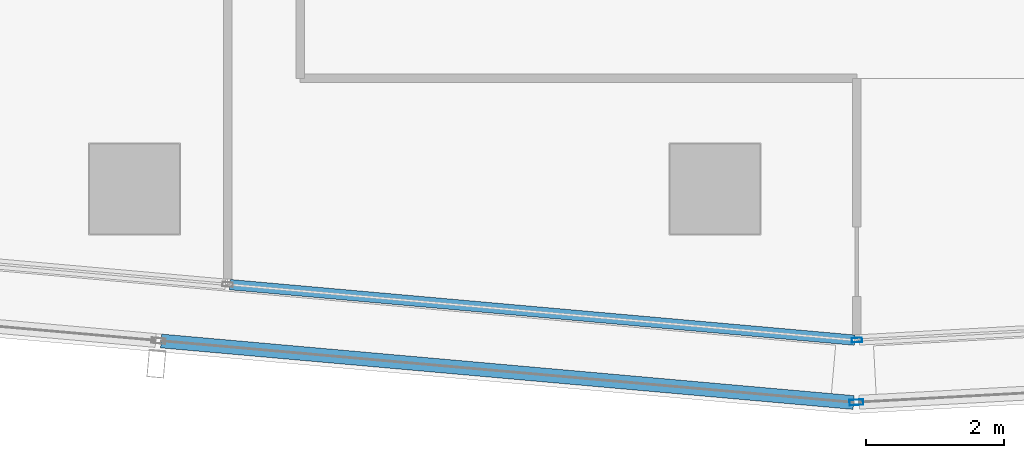
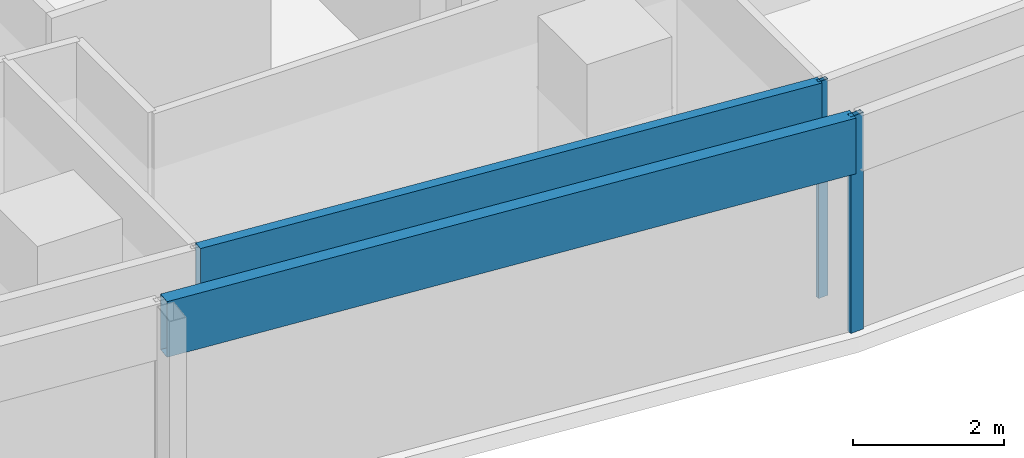
# One storey, part 5 of 29: 4 members, 4 elements without a shape of their own.
"""IFC4 building model written with IfcOpenShell, lengths in metres."""

from ifc_helpers import new_model, si_unit, direction, frame, origin, origin_2d, place, context, subcontext, project, spatial, hollow_rectangle, extrude, material, material_profile, profile_set, type_object, element, aggregate, save


model = new_model("IFC4")

# Units and contexts
model_context = context("Model", 3, precision=1e-05, world=origin(), true_north=direction((0.0, 1.0)))
body_context = subcontext(model_context, "Body", "Model", "MODEL_VIEW")
ifc_project = project(units=[si_unit("LENGTHUNIT", "METRE"), si_unit("AREAUNIT", "SQUARE_METRE"), si_unit("VOLUMEUNIT", "CUBIC_METRE"), si_unit("PLANEANGLEUNIT", "RADIAN"), si_unit("MASSUNIT", "GRAM", prefix="KILO")], contexts=[model_context])

# Site, building, storey
site_placement = place(None, origin())
site = spatial("IfcSite", under=ifc_project, at=site_placement, CompositionType="ELEMENT")
building_placement = place(site_placement, origin())
building = spatial("IfcBuilding", under=site, at=building_placement, Name="Rekha Terrace Tower", CompositionType="ELEMENT")
storey_placement = place(building_placement, frame((0.0, 0.0, 261.35009765625)))
storey = spatial("IfcBuildingStorey", under=building, at=storey_placement, Name="L66", CompositionType="ELEMENT", Elevation=261.35009765625)

# Curtain wall, member
ifc_material_1 = material(Name="Aluminium framing", Category="aluminium")
curtain_wall_type_1 = type_object("IfcCurtainWallType", Name="CW1 double skin inner glazing", PredefinedType="USERDEFINED", material=ifc_material_1)
curtain_wall_1_placement = place(storey_placement, origin())
curtain_wall_1 = element("IfcCurtainWall", 1, at=curtain_wall_1_placement, inside=storey, type_object=curtain_wall_type_1, Name="CW1 double skin inner glazing", ObjectType="DOUBLE SKIN INNER GLAZING", PredefinedType="USERDEFINED")
ifc_material_2 = material(Name="Aluminium mullion section", Category="aluminium")
ifc_material_profile_1 = material_profile(ifc_material_2, hollow_rectangle(XDim=0.06494140625, YDim=0.14990234375, WallThickness=0.00390625, at=origin_2d()), Name="AL RHS 65x150")
ifc_profile_set_1 = profile_set([ifc_material_profile_1], Name="Aluminium mullion section")
member_type_1 = type_object("IfcMemberType", Name="CW1 mullion RHS 65 x 150", PredefinedType="MULLION", material=ifc_profile_set_1)
member_1_placement = place(storey_placement, frame((27.254638671875, 14.6142578125, 0.0), z_axis=(0.0, 0.0, 1.0), x_axis=(-0.054388903036, 0.998519828159, 0.0)))
member_1 = element("IfcMember", 2, at=member_1_placement, type_object=member_type_1, Name="CW1 mullion 1", PredefinedType="MULLION", context=body_context, shape_type="SweptSolid", body=[
    extrude(hollow_rectangle(XDim=0.06494140625, YDim=0.14990234375, WallThickness=0.00390625, at=origin_2d()), origin(), (0.0, 0.0, 1.0), 3.5),
])
aggregate(curtain_wall_1, [member_1])

curtain_wall_2_placement = place(storey_placement, origin())
curtain_wall_2 = element("IfcCurtainWall", 3, at=curtain_wall_2_placement, inside=storey, type_object=curtain_wall_type_1, Name="CW1 double skin inner glazing", ObjectType="DOUBLE SKIN INNER GLAZING", PredefinedType="USERDEFINED")
ifc_material_3 = material(Name="Insulated aluminium spandrel box", Category="aluminium")
ifc_material_profile_2 = material_profile(ifc_material_3, hollow_rectangle(XDim=0.14990234375, YDim=0.89990234375, WallThickness=0.0029296875, at=origin_2d()), Name="AL SPANDREL BOX 150x900")
ifc_profile_set_2 = profile_set([ifc_material_profile_2], Name="Insulated aluminium spandrel box")
member_type_2 = type_object("IfcMemberType", Name="CW1 spandrel transom 150 x 900", PredefinedType="USERDEFINED", material=ifc_profile_set_2)
member_2_placement = place(storey_placement, frame((18.181884765625, 15.416015625, 3.0498046875), z_axis=(0.996073747712, -0.088527335432, 0.0), x_axis=(0.088527335432, 0.996073747712, 0.0)))
member_2 = element("IfcMember", 4, at=member_2_placement, type_object=member_type_2, Name="CW1 spandrel transom 2", ObjectType="TRANSOM", PredefinedType="USERDEFINED", context=body_context, shape_type="SweptSolid", body=[
    extrude(hollow_rectangle(XDim=0.14990234375, YDim=0.89990234375, WallThickness=0.0029296875, at=origin_2d()), origin(), (0.0, 0.0, 1.0), 9.075927734375),
])
aggregate(curtain_wall_2, [member_2])

curtain_wall_type_2 = type_object("IfcCurtainWallType", Name="CW2 double skin outer glazing", PredefinedType="USERDEFINED", material=ifc_material_1)
curtain_wall_3_placement = place(storey_placement, origin())
curtain_wall_3 = element("IfcCurtainWall", 5, at=curtain_wall_3_placement, inside=storey, type_object=curtain_wall_type_2, Name="CW2 double skin outer glazing", ObjectType="DOUBLE SKIN OUTER GLAZING", PredefinedType="USERDEFINED")
ifc_material_profile_3 = material_profile(ifc_material_2, hollow_rectangle(XDim=0.080078125, YDim=0.199951171875, WallThickness=0.00390625, at=origin_2d()), Name="AL RHS 80x200")
ifc_profile_set_3 = profile_set([ifc_material_profile_3], Name="Aluminium mullion section")
member_type_3 = type_object("IfcMemberType", Name="CW2 mullion RHS 80 x 200", PredefinedType="MULLION", material=ifc_profile_set_3)
member_3_placement = place(storey_placement, frame((27.24658203125, 13.712646484375, 0.0), z_axis=(0.0, 0.0, 1.0), x_axis=(-0.054388903071, 0.998519828157, 0.0)))
member_3 = element("IfcMember", 6, at=member_3_placement, type_object=member_type_3, Name="CW2 mullion 1", PredefinedType="MULLION", context=body_context, shape_type="SweptSolid", body=[
    extrude(hollow_rectangle(XDim=0.080078125, YDim=0.199951171875, WallThickness=0.00390625, at=origin_2d()), origin(), (0.0, 0.0, 1.0), 3.5),
])
aggregate(curtain_wall_3, [member_3])

curtain_wall_4_placement = place(storey_placement, origin())
curtain_wall_4 = element("IfcCurtainWall", 7, at=curtain_wall_4_placement, inside=storey, type_object=curtain_wall_type_2, Name="CW2 double skin outer glazing", ObjectType="DOUBLE SKIN OUTER GLAZING", PredefinedType="USERDEFINED")
ifc_material_profile_4 = material_profile(ifc_material_3, hollow_rectangle(XDim=0.199951171875, YDim=0.89990234375, WallThickness=0.0029296875, at=origin_2d()), Name="AL SPANDREL BOX 200x900")
ifc_profile_set_4 = profile_set([ifc_material_profile_4], Name="Insulated aluminium spandrel box")
member_type_4 = type_object("IfcMemberType", Name="CW2 spandrel transom 200 x 900", PredefinedType="USERDEFINED", material=ifc_profile_set_4)
member_4_placement = place(storey_placement, frame((17.188232421875, 14.600830078125, 3.0498046875), z_axis=(0.996074020135, -0.088524270188, 0.0), x_axis=(0.088524270188, 0.996074020135, 0.0)))
member_4 = element("IfcMember", 8, at=member_4_placement, type_object=member_type_4, Name="CW2 spandrel transom 2", ObjectType="TRANSOM", PredefinedType="USERDEFINED", context=body_context, shape_type="SweptSolid", body=[
    extrude(hollow_rectangle(XDim=0.199951171875, YDim=0.89990234375, WallThickness=0.0029296875, at=origin_2d()), origin(), (0.0, 0.0, 1.0), 10.05810546875),
])
aggregate(curtain_wall_4, [member_4])

save(model, "model.ifc")
